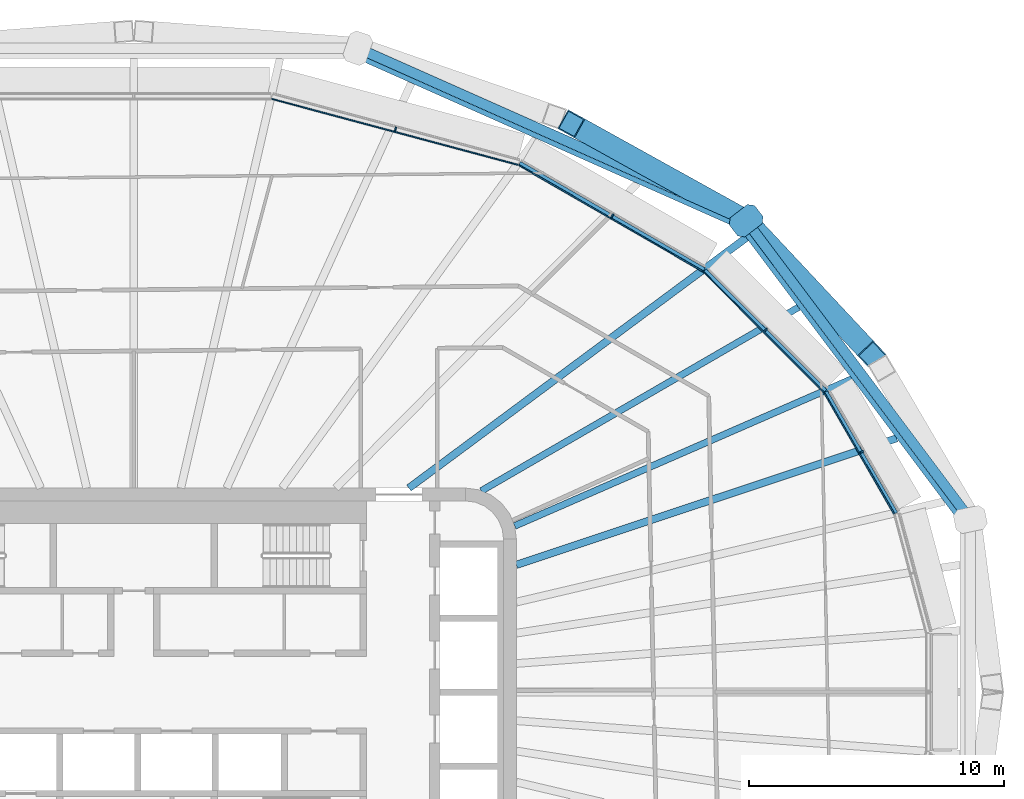
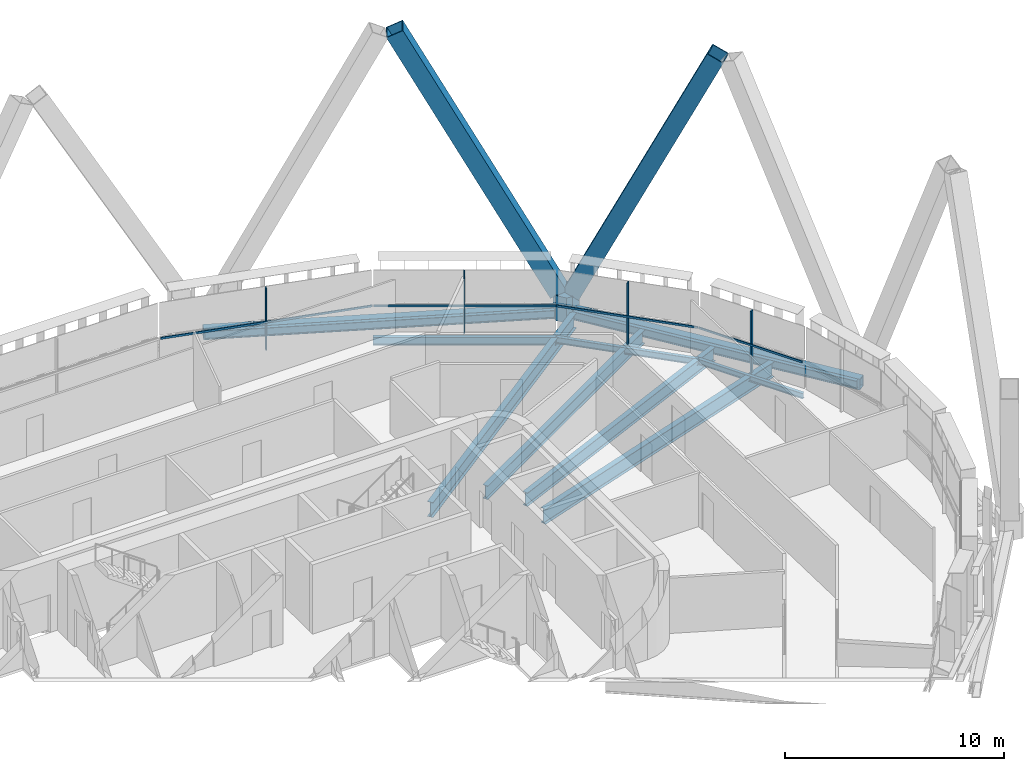
# One storey, part 9 of 25: 11 beams, 11 members, 4 elements without a shape of their own.
"""IFC4 building model written with IfcOpenShell, lengths in metres."""

from ifc_helpers import new_model, si_unit, direction, frame, origin, origin_2d, place, context, subcontext, project, spatial, polyline, rectangle, hollow_rectangle, i_section, outline, extrude, material, layer, layer_set, material_profile, profile_set, type_object, element, aggregate, save


model = new_model("IFC4")

# Units and contexts
model_context = context("Model", 3, precision=1e-05, world=origin(), true_north=direction((0.0, 1.0)))
body_context = subcontext(model_context, "Body", "Model", "MODEL_VIEW")
ifc_project = project(units=[si_unit("LENGTHUNIT", "METRE"), si_unit("AREAUNIT", "SQUARE_METRE"), si_unit("VOLUMEUNIT", "CUBIC_METRE"), si_unit("PLANEANGLEUNIT", "RADIAN"), si_unit("MASSUNIT", "GRAM", prefix="KILO")], contexts=[model_context])

# Site, building, storey
site_placement = place(None, origin())
site = spatial("IfcSite", under=ifc_project, at=site_placement, CompositionType="ELEMENT")
building_placement = place(site_placement, origin())
building = spatial("IfcBuilding", under=site, at=building_placement, Name="Sahrelin Media Tower", CompositionType="ELEMENT")
storey_placement = place(building_placement, frame((0.0, 0.0, 165.60009765625)))
storey = spatial("IfcBuildingStorey", under=building, at=storey_placement, Name="L34", CompositionType="ELEMENT", Elevation=165.60009765625)

# Members
ifc_material_1 = material(Name="Steel S460", Category="steel")
ifc_material_profile_1 = material_profile(ifc_material_1, hollow_rectangle(XDim=0.85009765625, YDim=0.85009765625, WallThickness=0.044921875, at=origin_2d()), Name="Diagrid diagonal DG4")
ifc_profile_set_1 = profile_set([ifc_material_profile_1], Name="Steel S460")
member_type_1 = type_object("IfcMemberType", Name="Diagrid diagonal DG4", PredefinedType="BRACE", material=ifc_profile_set_1)
member_1_placement = place(storey_placement, frame((24.233154296875, 18.237060546875, 0.699951171875), z_axis=(0.291734755252, -0.311755323124, 0.904267355975), x_axis=(0.730163113627, 0.683272879236, 0.0)))
element("IfcMember", 1, at=member_1_placement, inside=storey, type_object=member_type_1, Name="Diagrid diagonal D07-02", PredefinedType="BRACE", context=body_context, shape_type="SweptSolid", body=[
    extrude(hollow_rectangle(XDim=0.85009765625, YDim=0.85009765625, WallThickness=0.044921875, at=origin_2d()), origin(), (0.0, 0.0, 1.0), 16.1455078125),
])
member_2_placement = place(storey_placement, frame((23.69384765625, 18.652099609375, 0.699951171875), z_axis=(-0.398674830387, 0.221022968388, 0.890060237883), x_axis=(-0.484866509738, -0.87458817036, 0.0)))
element("IfcMember", 2, at=member_2_placement, inside=storey, type_object=member_type_1, Name="Diagrid diagonal D07-03", PredefinedType="BRACE", context=body_context, shape_type="SweptSolid", body=[
    extrude(hollow_rectangle(XDim=0.85009765625, YDim=0.85009765625, WallThickness=0.044921875, at=origin_2d()), origin(), (0.0, 0.0, 1.0), 16.4033203125),
])
ifc_material_profile_2 = material_profile(ifc_material_1, outline(polyline([(0.425048828125, -0.47509765625), (0.625, -0.27490234375), (0.625, 0.27490234375), (0.425048828125, 0.47509765625), (-0.425048828125, 0.47509765625), (-0.625, 0.27490234375), (-0.625, -0.27490234375), (-0.425048828125, -0.47509765625), (0.425048828125, -0.47509765625)])), Name="Diagrid node block 1250")
ifc_profile_set_2 = profile_set([ifc_material_profile_2], Name="Steel S460")
member_type_2 = type_object("IfcMemberType", Name="Diagrid node block 1250", PredefinedType="USERDEFINED", material=ifc_profile_set_2)
member_3_placement = place(storey_placement, frame((24.00732421875, 18.478515625, -0.7001953125), z_axis=(0.0, 0.0, 1.0), x_axis=(0.792446158195, 0.609941871297, 0.0)))
element("IfcMember", 3, at=member_3_placement, inside=storey, type_object=member_type_2, Name="Diagrid node N07-01", ObjectType="NODE", PredefinedType="USERDEFINED", context=body_context, shape_type="SweptSolid", body=[
    extrude(outline(polyline([(0.425048828125, -0.47509765625), (0.625, -0.27490234375), (0.625, 0.27490234375), (0.425048828125, 0.47509765625), (-0.425048828125, 0.47509765625), (-0.625, 0.27490234375), (-0.625, -0.27490234375), (-0.425048828125, -0.47509765625), (0.425048828125, -0.47509765625)])), origin(), (0.0, 0.0, 1.0), 1.400146484375),
])

# Beams
ifc_material_profile_3 = material_profile(ifc_material_1, hollow_rectangle(XDim=0.39990234375, YDim=0.60009765625, WallThickness=0.030029296875, at=origin_2d()), Name="Diagrid ring beam RB1")
ifc_profile_set_3 = profile_set([ifc_material_profile_3], Name="Steel S460")
beam_type_1 = type_object("IfcBeamType", Name="Diagrid ring beam RB1", PredefinedType="BEAM", material=ifc_profile_set_3)
beam_1_placement = place(storey_placement, frame((32.794677734375, 6.763671875, -0.4501953125), z_axis=(-0.600053347115, 0.799959986885, 0.0), x_axis=(-0.799959986885, -0.600053347115, 0.0)))
element("IfcBeam", 4, at=beam_1_placement, inside=storey, type_object=beam_type_1, Name="Diagrid ring beam RB07-00", PredefinedType="BEAM", context=body_context, shape_type="SweptSolid", body=[
    extrude(hollow_rectangle(XDim=0.39990234375, YDim=0.60009765625, WallThickness=0.030029296875, at=origin_2d()), origin(), (0.0, 0.0, 1.0), 14.644287109375),
])
beam_2_placement = place(storey_placement, frame((24.00732421875, 18.478515625, -0.4501953125), z_axis=(-0.913833912986, 0.406088142498, 0.0), x_axis=(-0.406088142498, -0.913833912986, 0.0)))
element("IfcBeam", 5, at=beam_2_placement, inside=storey, type_object=beam_type_1, Name="Diagrid ring beam RB07-01", PredefinedType="BEAM", context=body_context, shape_type="SweptSolid", body=[
    extrude(hollow_rectangle(XDim=0.39990234375, YDim=0.60009765625, WallThickness=0.030029296875, at=origin_2d()), origin(), (0.0, 0.0, 1.0), 16.655029296875),
])
ifc_material_2 = material(Name="Steel S355", Category="steel")
ifc_material_profile_4 = material_profile(ifc_material_2, i_section(OverallWidth=0.1650390625, OverallDepth=0.303466796875, WebThickness=0.006103515625, FlangeThickness=0.01025390625, FilletRadius=0.0087890625, at=origin_2d()), Name="UB 305x165x40")
ifc_profile_set_4 = profile_set([ifc_material_profile_4], Name="Steel S355")
beam_type_2 = type_object("IfcBeamType", Name="Edge beam EB2", PredefinedType="BEAM", material=ifc_profile_set_4)
beam_3_placement = place(storey_placement, frame((27.124267578125, 11.77392578125, -0.3017578125), z_axis=(0.499995531332, -0.866027983755, 0.0), x_axis=(0.866027983755, 0.499995531332, 0.0)))
element("IfcBeam", 6, at=beam_3_placement, inside=storey, type_object=beam_type_2, Name="Edge beam L34-23", PredefinedType="BEAM", context=body_context, shape_type="SweptSolid", body=[
    extrude(i_section(OverallWidth=0.1650390625, OverallDepth=0.303466796875, WebThickness=0.006103515625, FlangeThickness=0.01025390625, FilletRadius=0.0087890625, at=origin_2d()), origin(), (0.0, 0.0, 1.0), 5.49462890625),
])
ifc_material_profile_5 = material_profile(ifc_material_2, i_section(OverallWidth=0.17138671875, OverallDepth=0.35498046875, WebThickness=0.00732421875, FlangeThickness=0.011474609375, FilletRadius=0.01025390625, at=origin_2d()), Name="UB 356x171x51")
ifc_profile_set_5 = profile_set([ifc_material_profile_5], Name="Steel S355")
beam_type_3 = type_object("IfcBeamType", Name="Edge beam EB3", PredefinedType="BEAM", material=ifc_profile_set_5)
beam_4_placement = place(storey_placement, frame((22.376220703125, 16.52734375, -0.32763671875), z_axis=(0.707106781187, -0.707106781187, 0.0), x_axis=(0.707106781187, 0.707106781187, 0.0)))
element("IfcBeam", 7, at=beam_4_placement, inside=storey, type_object=beam_type_3, Name="Edge beam L34-22", PredefinedType="BEAM", context=body_context, shape_type="SweptSolid", body=[
    extrude(i_section(OverallWidth=0.17138671875, OverallDepth=0.35498046875, WebThickness=0.00732421875, FlangeThickness=0.011474609375, FilletRadius=0.01025390625, at=origin_2d()), origin(), (0.0, 0.0, 1.0), 6.68994140625),
])
ifc_material_profile_6 = material_profile(ifc_material_2, i_section(OverallWidth=0.1904296875, OverallDepth=0.45703125, WebThickness=0.009033203125, FlangeThickness=0.014404296875, FilletRadius=0.01025390625, at=origin_2d()), Name="UB 457x191x74")
ifc_profile_set_6 = profile_set([ifc_material_profile_6], Name="Steel S355")
beam_type_4 = type_object("IfcBeamType", Name="Edge beam EB5", PredefinedType="BEAM", material=ifc_profile_set_6)
beam_5_placement = place(storey_placement, frame((15.118896484375, 20.7216796875, -0.378662109375), z_axis=(0.866033256399, -0.499986398626, 0.0), x_axis=(0.499986398626, 0.866033256399, 0.0)))
element("IfcBeam", 8, at=beam_5_placement, inside=storey, type_object=beam_type_4, Name="Edge beam L34-21", PredefinedType="BEAM", context=body_context, shape_type="SweptSolid", body=[
    extrude(i_section(OverallWidth=0.1904296875, OverallDepth=0.45703125, WebThickness=0.009033203125, FlangeThickness=0.014404296875, FilletRadius=0.01025390625, at=origin_2d()), origin(), (0.0, 0.0, 1.0), 8.353759765625),
])

# Curtain wall, member
ifc_material_3 = material(Name="Champagne anodised aluminium 6063-T6", Category="aluminium")
ifc_layer = layer(ifc_material_3, 0.14990234375)
ifc_layer_set = layer_set([ifc_layer], Name="Tower ribbon curtain wall")
curtain_wall_type = type_object("IfcCurtainWallType", Name="Tower ribbon curtain wall", PredefinedType="NOTDEFINED", material=ifc_layer_set)
curtain_wall_1_placement = place(storey_placement, frame((28.6279296875, 9.4697265625, 0.0), z_axis=(0.0, 0.0, 1.0), x_axis=(1.0, 0.0, 0.0)))
curtain_wall_1 = element("IfcCurtainWall", 9, at=curtain_wall_1_placement, inside=storey, type_object=curtain_wall_type, Name="L34:CW:L34-02", PredefinedType="NOTDEFINED")
ifc_material_profile_7 = material_profile(ifc_material_3, rectangle(XDim=0.06005859375, YDim=0.175048828125, at=origin_2d()), Name="Mullion 60x175")
ifc_profile_set_7 = profile_set([ifc_material_profile_7], Name="Champagne anodised aluminium 6063-T6")
member_type_3 = type_object("IfcMemberType", Name="Mullion 60x175 CW1B", PredefinedType="MULLION", material=ifc_profile_set_7)
member_4_placement = place(storey_placement, frame((28.534912109375, 9.416015625, 0.0), z_axis=(0.0, 0.0, 1.0), x_axis=(-0.500003022996, 0.86602365845, 0.0)))
member_4 = element("IfcMember", 10, at=member_4_placement, type_object=member_type_3, Name="L34:CWM:L34-02", PredefinedType="MULLION", context=body_context, shape_type="SweptSolid", body=[
    extrude(rectangle(XDim=0.06005859375, YDim=0.175048828125, at=origin_2d()), origin(), (0.0, 0.0, 1.0), 3.448486328125),
])

curtain_wall_2_placement = place(storey_placement, frame((24.847412109375, 14.268310546875, 0.0), z_axis=(0.0, 0.0, 1.0), x_axis=(1.0, 0.0, 0.0)))
curtain_wall_2 = element("IfcCurtainWall", 11, at=curtain_wall_2_placement, inside=storey, type_object=curtain_wall_type, Name="L34:CW:L34-03", PredefinedType="NOTDEFINED")
member_5_placement = place(storey_placement, frame((24.771484375, 14.192138671875, 0.0), z_axis=(0.0, 0.0, 1.0), x_axis=(-0.707099376343, 0.707114185953, 0.0)))
member_5 = element("IfcMember", 12, at=member_5_placement, type_object=member_type_3, Name="L34:CWM:L34-03", PredefinedType="MULLION", context=body_context, shape_type="SweptSolid", body=[
    extrude(rectangle(XDim=0.06005859375, YDim=0.175048828125, at=origin_2d()), origin(), (0.0, 0.0, 1.0), 3.448486328125),
])

curtain_wall_3_placement = place(storey_placement, frame((18.811279296875, 18.76318359375, 0.0), z_axis=(0.0, 0.0, 1.0), x_axis=(1.0, 0.0, 0.0)))
curtain_wall_3 = element("IfcCurtainWall", 13, at=curtain_wall_3_placement, inside=storey, type_object=curtain_wall_type, Name="L34:CW:L34-04", PredefinedType="NOTDEFINED")
member_6_placement = place(storey_placement, frame((18.75732421875, 18.670166015625, 0.0), z_axis=(0.0, 0.0, 1.0), x_axis=(-0.866027149108, 0.499996976998, 0.0)))
member_6 = element("IfcMember", 14, at=member_6_placement, type_object=member_type_3, Name="L34:CWM:L34-04", PredefinedType="MULLION", context=body_context, shape_type="SweptSolid", body=[
    extrude(rectangle(XDim=0.06005859375, YDim=0.175048828125, at=origin_2d()), origin(), (0.0, 0.0, 1.0), 3.448486328125),
])

curtain_wall_4_placement = place(storey_placement, frame((10.29052734375, 22.1748046875, 0.0), z_axis=(0.0, 0.0, 1.0), x_axis=(1.0, 0.0, 0.0)))
curtain_wall_4 = element("IfcCurtainWall", 15, at=curtain_wall_4_placement, inside=storey, type_object=curtain_wall_type, Name="L34:CW:L34-05", PredefinedType="NOTDEFINED")
member_7_placement = place(storey_placement, frame((10.2626953125, 22.07080078125, 0.0), z_axis=(0.0, 0.0, 1.0), x_axis=(-0.965925826289, 0.258819045103, 0.0)))
member_7 = element("IfcMember", 16, at=member_7_placement, type_object=member_type_3, Name="L34:CWM:L34-05", PredefinedType="MULLION", context=body_context, shape_type="SweptSolid", body=[
    extrude(rectangle(XDim=0.06005859375, YDim=0.175048828125, at=origin_2d()), origin(), (0.0, 0.0, 1.0), 3.448486328125),
])

# Beams
ifc_material_profile_8 = material_profile(ifc_material_2, i_section(OverallWidth=0.291748046875, OverallDepth=0.8349609375, WebThickness=0.013916015625, FlangeThickness=0.018798828125, FilletRadius=0.017822265625, at=origin_2d()), Name="UB 838x292x176")
ifc_profile_set_8 = profile_set([ifc_material_profile_8], Name="Steel S355")
beam_type_5 = type_object("IfcBeamType", Name="Radial primary beam PB10", PredefinedType="BEAM", material=ifc_profile_set_8)
beam_6_placement = place(storey_placement, frame((10.78564453125, 8.0, -0.567626953125), z_axis=(0.8031817712, 0.59573403664, 0.0), x_axis=(-0.59573403664, 0.8031817712, 0.0)))
element("IfcBeam", 17, at=beam_6_placement, inside=storey, type_object=beam_type_5, Name="Radial beam L34-04", PredefinedType="BEAM", context=body_context, shape_type="SweptSolid", body=[
    extrude(i_section(OverallWidth=0.291748046875, OverallDepth=0.8349609375, WebThickness=0.013916015625, FlangeThickness=0.018798828125, FilletRadius=0.017822265625, at=origin_2d()), origin(), (0.0, 0.0, 1.0), 16.46923828125),
])
ifc_material_profile_9 = material_profile(ifc_material_2, i_section(OverallWidth=0.26513671875, OverallDepth=0.75390625, WebThickness=0.0126953125, FlangeThickness=0.017578125, FilletRadius=0.0166015625, at=origin_2d()), Name="UB 762x267x147")
ifc_profile_set_9 = profile_set([ifc_material_profile_9], Name="Steel S355")
beam_type_6 = type_object("IfcBeamType", Name="Radial primary beam PB9", PredefinedType="BEAM", material=ifc_profile_set_9)
beam_7_placement = place(storey_placement, frame((14.9326171875, 6.512451171875, -0.527099609375), z_axis=(0.916619523291, 0.399760740346, 0.0), x_axis=(-0.399760740346, 0.916619523291, 0.0)))
element("IfcBeam", 18, at=beam_7_placement, inside=storey, type_object=beam_type_6, Name="Radial beam L34-03", PredefinedType="BEAM", context=body_context, shape_type="SweptSolid", body=[
    extrude(i_section(OverallWidth=0.26513671875, OverallDepth=0.75390625, WebThickness=0.0126953125, FlangeThickness=0.017578125, FilletRadius=0.0166015625, at=origin_2d()), origin(), (0.0, 0.0, 1.0), 14.431884765625),
])
ifc_material_profile_10 = material_profile(ifc_material_2, i_section(OverallWidth=0.291748046875, OverallDepth=0.8349609375, WebThickness=0.013916015625, FlangeThickness=0.018798828125, FilletRadius=0.017822265625, at=origin_2d()), Name="UB 838x292x176")
ifc_profile_set_10 = profile_set([ifc_material_profile_10], Name="Steel S355")
beam_type_7 = type_object("IfcBeamType", Name="Radial secondary beam SB10", PredefinedType="BEAM", material=ifc_profile_set_10)
beam_8_placement = place(storey_placement, frame((15.0, 4.98974609375, -0.567626953125), z_axis=(0.948878876725, 0.315640424068, 0.0), x_axis=(-0.315640424068, 0.948878876725, 0.0)))
element("IfcBeam", 19, at=beam_8_placement, inside=storey, type_object=beam_type_7, Name="Secondary beam L34-02", PredefinedType="BEAM", context=body_context, shape_type="SweptSolid", body=[
    extrude(i_section(OverallWidth=0.291748046875, OverallDepth=0.8349609375, WebThickness=0.013916015625, FlangeThickness=0.018798828125, FilletRadius=0.017822265625, at=origin_2d()), origin(), (0.0, 0.0, 1.0), 15.7138671875),
])
ifc_material_profile_11 = material_profile(ifc_material_2, i_section(OverallWidth=0.26513671875, OverallDepth=0.75390625, WebThickness=0.0126953125, FlangeThickness=0.017578125, FilletRadius=0.0166015625, at=origin_2d()), Name="UB 762x267x147")
ifc_profile_set_11 = profile_set([ifc_material_profile_11], Name="Steel S355")
beam_type_8 = type_object("IfcBeamType", Name="Radial secondary beam SB9", PredefinedType="BEAM", material=ifc_profile_set_11)
beam_9_placement = place(storey_placement, frame((13.625732421875, 7.88720703125, -0.527099609375), z_axis=(0.865463515193, 0.500971959165, 0.0), x_axis=(-0.500971959165, 0.865463515193, 0.0)))
element("IfcBeam", 20, at=beam_9_placement, inside=storey, type_object=beam_type_8, Name="Secondary beam L34-03", PredefinedType="BEAM", context=body_context, shape_type="SweptSolid", body=[
    extrude(i_section(OverallWidth=0.26513671875, OverallDepth=0.75390625, WebThickness=0.0126953125, FlangeThickness=0.017578125, FilletRadius=0.0166015625, at=origin_2d()), origin(), (0.0, 0.0, 1.0), 14.3662109375),
])
ifc_material_profile_12 = material_profile(ifc_material_2, i_section(OverallWidth=0.1904296875, OverallDepth=0.45703125, WebThickness=0.009033203125, FlangeThickness=0.014404296875, FilletRadius=0.01025390625, at=origin_2d()), Name="UB 457x191x74")
ifc_profile_set_12 = profile_set([ifc_material_profile_12], Name="Steel S355")
beam_type_9 = type_object("IfcBeamType", Name="Tie chord TC5", PredefinedType="BEAM", material=ifc_profile_set_12)
beam_10_placement = place(storey_placement, frame((8.7236328125, 24.94189453125, -0.378662109375), z_axis=(0.913831056717, -0.406094569994, 0.0), x_axis=(0.406094569994, 0.913831056717, 0.0)))
element("IfcBeam", 21, at=beam_10_placement, inside=storey, type_object=beam_type_9, Name="Tie chord L34-11", PredefinedType="BEAM", context=body_context, shape_type="SweptSolid", body=[
    extrude(i_section(OverallWidth=0.1904296875, OverallDepth=0.45703125, WebThickness=0.009033203125, FlangeThickness=0.014404296875, FilletRadius=0.01025390625, at=origin_2d()), origin(), (0.0, 0.0, 1.0), 16.513427734375),
])
beam_11_placement = place(storey_placement, frame((23.814208984375, 18.23583984375, -0.378662109375), z_axis=(0.600043204126, -0.799967595083, 0.0), x_axis=(0.799967595083, 0.600043204126, 0.0)))
element("IfcBeam", 22, at=beam_11_placement, inside=storey, type_object=beam_type_9, Name="Tie chord L34-12", PredefinedType="BEAM", context=body_context, shape_type="SweptSolid", body=[
    extrude(i_section(OverallWidth=0.1904296875, OverallDepth=0.45703125, WebThickness=0.009033203125, FlangeThickness=0.014404296875, FilletRadius=0.01025390625, at=origin_2d()), origin(), (0.0, 0.0, 1.0), 14.4658203125),
])

# Member
ifc_material_profile_13 = material_profile(ifc_material_3, rectangle(XDim=0.050048828125, YDim=0.110107421875, at=origin_2d()), Name="Transom 50x110")
ifc_profile_set_13 = profile_set([ifc_material_profile_13], Name="Champagne anodised aluminium 6063-T6")
member_type_4 = type_object("IfcMemberType", Name="Transom 50x110 CW1B", PredefinedType="USERDEFINED", material=ifc_profile_set_13)
member_8_placement = place(storey_placement, frame((29.80322265625, 6.993896484375, 1.599853515625), z_axis=(-0.499998384012, 0.866026336773, 0.0), x_axis=(-0.866026336773, -0.499998384012, 0.0)))
member_8 = element("IfcMember", 23, at=member_8_placement, type_object=member_type_4, Name="L34:CWT:L34-02", ObjectType="TRANSOM", PredefinedType="USERDEFINED", context=body_context, shape_type="SweptSolid", body=[
    extrude(rectangle(XDim=0.050048828125, YDim=0.110107421875, at=origin_2d()), origin(), (0.0, 0.0, 1.0), 5.46337890625),
])

aggregate(curtain_wall_1, [member_4, member_8])

member_9_placement = place(storey_placement, frame((27.046142578125, 11.758544921875, 1.599853515625), z_axis=(-0.707106781187, 0.707106781187, 0.0), x_axis=(-0.707106781187, -0.707106781187, 0.0)))
member_9 = element("IfcMember", 24, at=member_9_placement, type_object=member_type_4, Name="L34:CWT:L34-03", ObjectType="TRANSOM", PredefinedType="USERDEFINED", context=body_context, shape_type="SweptSolid", body=[
    extrude(rectangle(XDim=0.050048828125, YDim=0.110107421875, at=origin_2d()), origin(), (0.0, 0.0, 1.0), 6.658447265625),
])

aggregate(curtain_wall_2, [member_5, member_9])

member_10_placement = place(storey_placement, frame((22.3046875, 16.4921875, 1.599853515625), z_axis=(-0.866024861332, 0.500000939553, 0.0), x_axis=(-0.500000939553, -0.866024861332, 0.0)))
member_10 = element("IfcMember", 25, at=member_10_placement, type_object=member_type_4, Name="L34:CWT:L34-04", ObjectType="TRANSOM", PredefinedType="USERDEFINED", context=body_context, shape_type="SweptSolid", body=[
    extrude(rectangle(XDim=0.050048828125, YDim=0.110107421875, at=origin_2d()), origin(), (0.0, 0.0, 1.0), 8.322265625),
])

aggregate(curtain_wall_3, [member_6, member_10])

member_11_placement = place(storey_placement, frame((15.05908203125, 20.669189453125, 1.599853515625), z_axis=(-0.965926019186, 0.258818325201, 0.0), x_axis=(-0.258818325201, -0.965926019186, 0.0)))
member_11 = element("IfcMember", 26, at=member_11_placement, type_object=member_type_4, Name="L34:CWT:L34-05", ObjectType="TRANSOM", PredefinedType="USERDEFINED", context=body_context, shape_type="SweptSolid", body=[
    extrude(rectangle(XDim=0.050048828125, YDim=0.110107421875, at=origin_2d()), origin(), (0.0, 0.0, 1.0), 9.9912109375),
])

aggregate(curtain_wall_4, [member_7, member_11])

save(model, "model.ifc")
